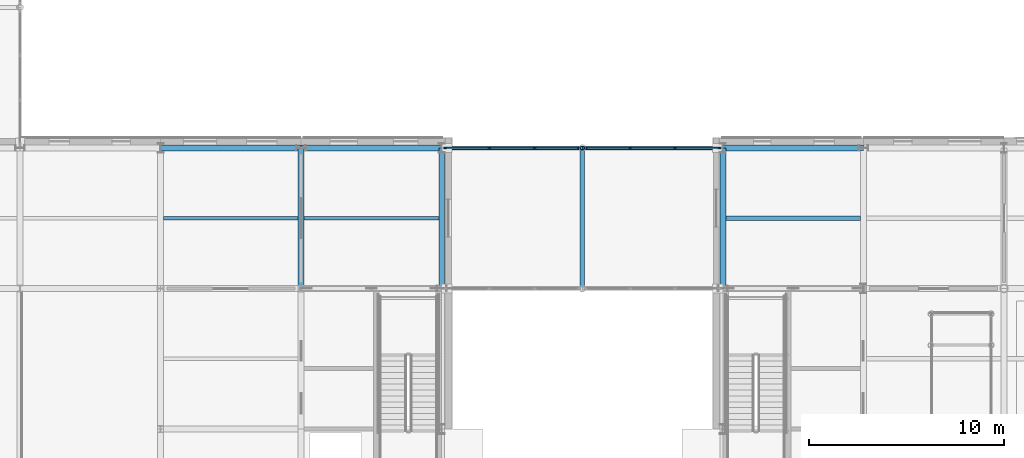
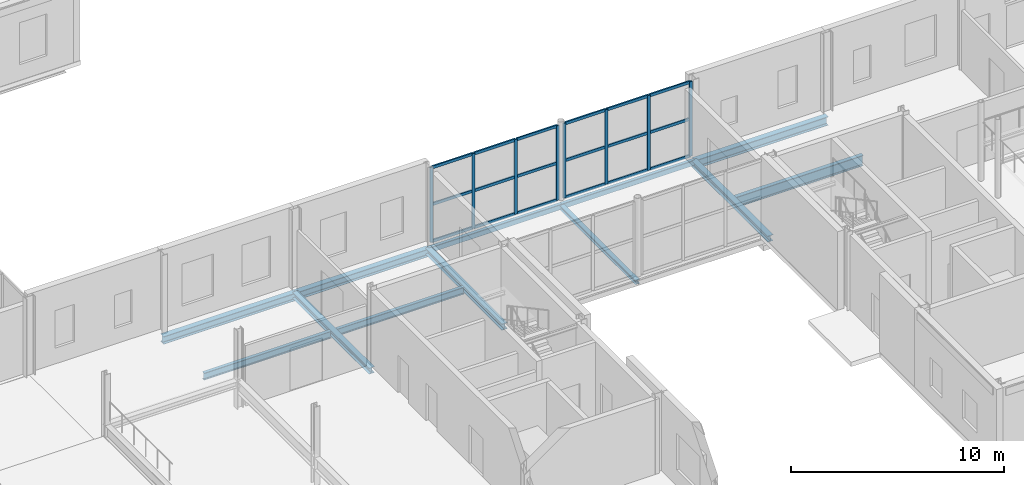
# One storey, part 25 of 92: 26 members, 12 beams, 2 elements without a shape of their own.
"""IFC4 building model written with IfcOpenShell, lengths in metres."""

from ifc_helpers import new_model, si_unit, direction, frame, origin, origin_2d, place, context, subcontext, project, spatial, rectangle, hollow_rectangle, i_section, extrude, material, material_profile, profile_set, type_object, element, aggregate, save


model = new_model("IFC4")

# Units and contexts
model_context = context("Model", 3, precision=1e-05, world=origin(), true_north=direction((0.0, 1.0)))
body_context = subcontext(model_context, "Body", "Model", "MODEL_VIEW")
ifc_project = project(units=[si_unit("LENGTHUNIT", "METRE"), si_unit("AREAUNIT", "SQUARE_METRE"), si_unit("VOLUMEUNIT", "CUBIC_METRE"), si_unit("PLANEANGLEUNIT", "RADIAN"), si_unit("MASSUNIT", "GRAM", prefix="KILO")], contexts=[model_context])

# Site, building, storey
site_placement = place(None, origin())
site = spatial("IfcSite", under=ifc_project, at=site_placement, CompositionType="ELEMENT")
building_placement = place(site_placement, origin())
building = spatial("IfcBuilding", under=site, at=building_placement, Name="Zlatovets Crest Museum", CompositionType="ELEMENT")
storey_placement = place(building_placement, origin())
storey = spatial("IfcBuildingStorey", under=building, at=storey_placement, Name="L00", CompositionType="ELEMENT", Elevation=0.0)

# Beams
ifc_material_1 = material(Name="Structural steel S355J2", Category="steel")
ifc_material_profile_1 = material_profile(ifc_material_1, i_section(OverallWidth=0.300048828125, OverallDepth=0.489990234375, WebThickness=0.011962890625, FlangeThickness=0.02294921875, FilletRadius=0.027099609375, at=origin_2d()), Name="HEA 500")
ifc_profile_set_1 = profile_set([ifc_material_profile_1], Name="Structural steel S355J2")
beam_type_1 = type_object("IfcBeamType", Name="Beam_B-01", PredefinedType="BEAM", material=ifc_profile_set_1)
beam_1_placement = place(storey_placement, frame((57.60009765625, 28.800048828125, -0.4951171875), z_axis=(1.0, 0.0, 0.0), x_axis=(0.0, 1.0, 0.0)))
element("IfcBeam", 1, at=beam_1_placement, inside=storey, type_object=beam_type_1, Name="V2 L00 Primary Girder B-01", PredefinedType="BEAM", context=body_context, shape_type="SweptSolid", body=[
    extrude(i_section(OverallWidth=0.300048828125, OverallDepth=0.489990234375, WebThickness=0.011962890625, FlangeThickness=0.02294921875, FilletRadius=0.027099609375, at=origin_2d()), origin(), (0.0, 0.0, 1.0), 7.199951171875),
])
ifc_material_profile_2 = material_profile(ifc_material_1, i_section(OverallWidth=0.300048828125, OverallDepth=0.35009765625, WebThickness=0.010009765625, FlangeThickness=0.017578125, FilletRadius=0.027099609375, at=origin_2d()), Name="HEA 360")
ifc_profile_set_2 = profile_set([ifc_material_profile_2], Name="Structural steel S355J2")
beam_type_2 = type_object("IfcBeamType", Name="Beam_B-03", PredefinedType="BEAM", material=ifc_profile_set_2)
for number, where, z_axis, x_axis, name in (
    (2, (57.60009765625, 21.60009765625, -0.425048828125), (0.0, 1.0, 0.0), (-1.0, 0.0, 0.0), "V2 L00 Grid Beam B-03"),
    (3, (36.0, 21.60009765625, -0.425048828125), (0.0, 1.0, 0.0), (-1.0, 0.0, 0.0), "V3 L00 Grid Beam B-03"),
    (4, (43.199951171875, 21.60009765625, -0.425048828125), (0.0, 1.0, 0.0), (-1.0, 0.0, 0.0), "V3 L00 Grid Beam B-03"),
):
    element("IfcBeam", number, at=place(storey_placement, frame(where, z_axis=z_axis, x_axis=x_axis)), inside=storey, type_object=beam_type_2, Name=name, PredefinedType="BEAM", context=body_context, shape_type="SweptSolid", body=[
        extrude(i_section(OverallWidth=0.300048828125, OverallDepth=0.35009765625, WebThickness=0.010009765625, FlangeThickness=0.017578125, FilletRadius=0.027099609375, at=origin_2d()), origin(), (0.0, 0.0, 1.0), 7.199951171875),
    ])
ifc_material_profile_3 = material_profile(ifc_material_1, i_section(OverallWidth=0.239990234375, OverallDepth=0.22998046875, WebThickness=0.007568359375, FlangeThickness=0.011962890625, FilletRadius=0.02099609375, at=origin_2d()), Name="HEA 240")
ifc_profile_set_3 = profile_set([ifc_material_profile_3], Name="Structural steel S355J2")
beam_type_3 = type_object("IfcBeamType", Name="Beam_B-06", PredefinedType="BEAM", material=ifc_profile_set_3)
beam_2_placement = place(storey_placement, frame((50.39990234375, 21.60009765625, -0.39990234375), z_axis=(0.0, 1.0, 0.0), x_axis=(-1.0, 0.0, 0.0)))
element("IfcBeam", 5, at=beam_2_placement, inside=storey, type_object=beam_type_3, Name="South Forecourt Glazed Link Bridge L00 Cross Beam", PredefinedType="BEAM", context=body_context, shape_type="SweptSolid", body=[
    extrude(i_section(OverallWidth=0.239990234375, OverallDepth=0.22998046875, WebThickness=0.007568359375, FlangeThickness=0.011962890625, FilletRadius=0.02099609375, at=origin_2d()), origin(), (0.0, 0.0, 1.0), 7.199951171875),
])
ifc_material_profile_4 = material_profile(ifc_material_1, i_section(OverallWidth=0.300048828125, OverallDepth=0.43994140625, WebThickness=0.011474609375, FlangeThickness=0.02099609375, FilletRadius=0.027099609375, at=origin_2d()), Name="HEA 450")
ifc_profile_set_4 = profile_set([ifc_material_profile_4], Name="Structural steel S355J2")
beam_type_4 = type_object("IfcBeamType", Name="Beam_B-10", PredefinedType="BEAM", material=ifc_profile_set_4)
for number, where, z_axis, x_axis, name in (
    (6, (28.800048828125, 28.800048828125, -0.469970703125), (1.0, 0.0, 0.0), (0.0, 1.0, 0.0), "V3 L00 Primary Girder B-10"),
    (7, (36.0, 28.800048828125, -0.469970703125), (1.0, 0.0, 0.0), (0.0, 1.0, 0.0), "V3 L00 Primary Girder B-10"),
):
    element("IfcBeam", number, at=place(storey_placement, frame(where, z_axis=z_axis, x_axis=x_axis)), inside=storey, type_object=beam_type_4, Name=name, PredefinedType="BEAM", context=body_context, shape_type="SweptSolid", body=[
        extrude(i_section(OverallWidth=0.300048828125, OverallDepth=0.43994140625, WebThickness=0.011474609375, FlangeThickness=0.02099609375, FilletRadius=0.027099609375, at=origin_2d()), origin(), (0.0, 0.0, 1.0), 7.199951171875),
    ])
ifc_material_profile_5 = material_profile(ifc_material_1, hollow_rectangle(XDim=0.199951171875, YDim=0.300048828125, WallThickness=0.012451171875, InnerFilletRadius=0.012451171875, OuterFilletRadius=0.02490234375, at=origin_2d()), Name="RHS 200x300x12.5")
ifc_profile_set_5 = profile_set([ifc_material_profile_5], Name="Structural steel S355J2")
beam_type_5 = type_object("IfcBeamType", Name="Beam_BRG-01", PredefinedType="BEAM", material=ifc_profile_set_5)
beam_3_placement = place(storey_placement, frame((43.199951171875, 28.800048828125, -0.39990234375), z_axis=(1.0, 0.0, 0.0), x_axis=(0.0, 1.0, 0.0)))
element("IfcBeam", 8, at=beam_3_placement, inside=storey, type_object=beam_type_5, Name="South Forecourt Glazed Link Bridge L00 Stringer Beam", PredefinedType="BEAM", context=body_context, shape_type="SweptSolid", body=[
    extrude(hollow_rectangle(XDim=0.199951171875, YDim=0.300048828125, WallThickness=0.012451171875, InnerFilletRadius=0.012451171875, OuterFilletRadius=0.02490234375, at=origin_2d()), origin(), (0.0, 0.0, 1.0), 7.199951171875),
])
beam_4_placement = place(storey_placement, frame((50.39990234375, 28.800048828125, -0.39990234375), z_axis=(1.0, 0.0, 0.0), x_axis=(0.0, 1.0, 0.0)))
element("IfcBeam", 9, at=beam_4_placement, inside=storey, type_object=beam_type_5, Name="South Forecourt Glazed Link Bridge L00 Stringer Beam", PredefinedType="BEAM", context=body_context, shape_type="SweptSolid", body=[
    extrude(hollow_rectangle(XDim=0.199951171875, YDim=0.300048828125, WallThickness=0.012451171875, InnerFilletRadius=0.012451171875, OuterFilletRadius=0.02490234375, at=origin_2d()), origin(), (0.0, 0.0, 1.0), 7.2001953125),
])
ifc_material_profile_6 = material_profile(ifc_material_1, i_section(OverallWidth=0.179931640625, OverallDepth=0.39990234375, WebThickness=0.008544921875, FlangeThickness=0.013427734375, FilletRadius=0.02099609375, at=origin_2d()), Name="IPE 400")
ifc_profile_set_6 = profile_set([ifc_material_profile_6], Name="Structural steel S355J2")
beam_type_6 = type_object("IfcBeamType", Name="Beam_J-04", PredefinedType="JOIST", material=ifc_profile_set_6)
for number, where, z_axis, x_axis, name in (
    (10, (28.949951171875, 25.199951171875, -0.449951171875), (1.0, 0.0, 0.0), (0.0, 1.0, 0.0), "V3 L00 Composite Joist J-04"),
    (11, (36.14990234375, 25.199951171875, -0.449951171875), (1.0, 0.0, 0.0), (0.0, 1.0, 0.0), "V3 L00 Composite Joist J-04"),
):
    element("IfcBeam", number, at=place(storey_placement, frame(where, z_axis=z_axis, x_axis=x_axis)), inside=storey, type_object=beam_type_6, Name=name, PredefinedType="JOIST", context=body_context, shape_type="SweptSolid", body=[
        extrude(i_section(OverallWidth=0.179931640625, OverallDepth=0.39990234375, WebThickness=0.008544921875, FlangeThickness=0.013427734375, FilletRadius=0.02099609375, at=origin_2d()), origin(), (0.0, 0.0, 1.0), 6.900146484375),
    ])
ifc_material_profile_7 = material_profile(ifc_material_1, i_section(OverallWidth=0.219970703125, OverallDepth=0.60009765625, WebThickness=0.011962890625, FlangeThickness=0.01904296875, FilletRadius=0.02392578125, at=origin_2d()), Name="IPE 600")
ifc_profile_set_7 = profile_set([ifc_material_profile_7], Name="Structural steel S355J2")
beam_type_7 = type_object("IfcBeamType", Name="Beam_J-08", PredefinedType="BEAM", material=ifc_profile_set_7)
beam_5_placement = place(storey_placement, frame((57.75, 25.199951171875, -0.550048828125), z_axis=(1.0, 0.0, 0.0), x_axis=(0.0, 1.0, 0.0)))
element("IfcBeam", 12, at=beam_5_placement, inside=storey, type_object=beam_type_7, Name="V2 L00 Composite Joist J-08", PredefinedType="BEAM", context=body_context, shape_type="SweptSolid", body=[
    extrude(i_section(OverallWidth=0.219970703125, OverallDepth=0.60009765625, WebThickness=0.011962890625, FlangeThickness=0.01904296875, FilletRadius=0.02392578125, at=origin_2d()), origin(), (0.0, 0.0, 1.0), 6.89990234375),
])

# Curtain wall, members
ifc_material_2 = material(Name="Bronze-anodised aluminium and low-E triple glass", Category="aluminium")
curtain_wall_type = type_object("IfcCurtainWallType", Name="CW_CW-BR1-L00-S69", PredefinedType="NOTDEFINED", material=ifc_material_2)
curtain_wall_1_placement = place(storey_placement, origin())
curtain_wall_1 = element("IfcCurtainWall", 13, at=curtain_wall_1_placement, inside=storey, type_object=curtain_wall_type, Name="South Forecourt Glazed Link Bridge L00 Glazed Bridge Curtain Wall", PredefinedType="NOTDEFINED")
ifc_material_3 = material(Name="Bronze-anodised aluminium EN AW-6060", Category="aluminium")
ifc_material_profile_8 = material_profile(ifc_material_3, rectangle(XDim=0.080078125, YDim=0.159912109375, at=origin_2d()), Name="ALU 80x160")
ifc_profile_set_8 = profile_set([ifc_material_profile_8], Name="Bronze-anodised aluminium EN AW-6060")
member_type_1 = type_object("IfcMemberType", Name="CWMull_M1", PredefinedType="MULLION", material=ifc_profile_set_8)
member_1_placement = place(storey_placement, frame((43.3798828125, 28.800048828125, 0.0), z_axis=(0.0, 0.0, 1.0), x_axis=(0.0, 1.0, 0.0)))
member_1 = element("IfcMember", 14, at=member_1_placement, type_object=member_type_1, Name="CW-BR1-L00-S69 mullion 1", PredefinedType="MULLION", context=body_context, shape_type="SweptSolid", body=[
    extrude(rectangle(XDim=0.080078125, YDim=0.159912109375, at=origin_2d()), origin(), (0.0, 0.0, 1.0), 4.280029296875),
])
member_2_placement = place(storey_placement, frame((45.64990234375, 28.800048828125, 0.0), z_axis=(0.0, 0.0, 1.0), x_axis=(0.0, 1.0, 0.0)))
member_2 = element("IfcMember", 15, at=member_2_placement, type_object=member_type_1, Name="CW-BR1-L00-S69 mullion 2", PredefinedType="MULLION", context=body_context, shape_type="SweptSolid", body=[
    extrude(rectangle(XDim=0.080078125, YDim=0.159912109375, at=origin_2d()), origin(), (0.0, 0.0, 1.0), 4.280029296875),
])
member_3_placement = place(storey_placement, frame((47.949951171875, 28.800048828125, 0.0), z_axis=(0.0, 0.0, 1.0), x_axis=(0.0, 1.0, 0.0)))
member_3 = element("IfcMember", 16, at=member_3_placement, type_object=member_type_1, Name="CW-BR1-L00-S69 mullion 3", PredefinedType="MULLION", context=body_context, shape_type="SweptSolid", body=[
    extrude(rectangle(XDim=0.080078125, YDim=0.159912109375, at=origin_2d()), origin(), (0.0, 0.0, 1.0), 4.280029296875),
])
member_4_placement = place(storey_placement, frame((50.219970703125, 28.800048828125, 0.0), z_axis=(0.0, 0.0, 1.0), x_axis=(0.0, 1.0, 0.0)))
member_4 = element("IfcMember", 17, at=member_4_placement, type_object=member_type_1, Name="CW-BR1-L00-S69 mullion 4", PredefinedType="MULLION", context=body_context, shape_type="SweptSolid", body=[
    extrude(rectangle(XDim=0.080078125, YDim=0.159912109375, at=origin_2d()), origin(), (0.0, 0.0, 1.0), 4.280029296875),
])

curtain_wall_2_placement = place(storey_placement, origin())
curtain_wall_2 = element("IfcCurtainWall", 18, at=curtain_wall_2_placement, inside=storey, type_object=curtain_wall_type, Name="South Forecourt Glazed Link Bridge L00 Glazed Bridge Curtain Wall", PredefinedType="NOTDEFINED")
member_5_placement = place(storey_placement, frame((50.580078125, 28.800048828125, 0.0), z_axis=(0.0, 0.0, 1.0), x_axis=(0.0, 1.0, 0.0)))
member_5 = element("IfcMember", 19, at=member_5_placement, type_object=member_type_1, Name="CW-BR1-L00-S69 mullion 1", PredefinedType="MULLION", context=body_context, shape_type="SweptSolid", body=[
    extrude(rectangle(XDim=0.080078125, YDim=0.159912109375, at=origin_2d()), origin(), (0.0, 0.0, 1.0), 4.280029296875),
])
member_6_placement = place(storey_placement, frame((52.85009765625, 28.800048828125, 0.0), z_axis=(0.0, 0.0, 1.0), x_axis=(0.0, 1.0, 0.0)))
member_6 = element("IfcMember", 20, at=member_6_placement, type_object=member_type_1, Name="CW-BR1-L00-S69 mullion 2", PredefinedType="MULLION", context=body_context, shape_type="SweptSolid", body=[
    extrude(rectangle(XDim=0.080078125, YDim=0.159912109375, at=origin_2d()), origin(), (0.0, 0.0, 1.0), 4.280029296875),
])
member_7_placement = place(storey_placement, frame((55.14990234375, 28.800048828125, 0.0), z_axis=(0.0, 0.0, 1.0), x_axis=(0.0, 1.0, 0.0)))
member_7 = element("IfcMember", 21, at=member_7_placement, type_object=member_type_1, Name="CW-BR1-L00-S69 mullion 3", PredefinedType="MULLION", context=body_context, shape_type="SweptSolid", body=[
    extrude(rectangle(XDim=0.080078125, YDim=0.159912109375, at=origin_2d()), origin(), (0.0, 0.0, 1.0), 4.280029296875),
])
member_8_placement = place(storey_placement, frame((57.419921875, 28.800048828125, 0.0), z_axis=(0.0, 0.0, 1.0), x_axis=(0.0, 1.0, 0.0)))
member_8 = element("IfcMember", 22, at=member_8_placement, type_object=member_type_1, Name="CW-BR1-L00-S69 mullion 4", PredefinedType="MULLION", context=body_context, shape_type="SweptSolid", body=[
    extrude(rectangle(XDim=0.080078125, YDim=0.159912109375, at=origin_2d()), origin(), (0.0, 0.0, 1.0), 4.280029296875),
])

# Member
ifc_material_profile_9 = material_profile(ifc_material_3, rectangle(XDim=0.080078125, YDim=0.159912109375, at=origin_2d()), Name="ALU 80x160")
ifc_profile_set_9 = profile_set([ifc_material_profile_9], Name="Bronze-anodised aluminium EN AW-6060")
member_type_2 = type_object("IfcMemberType", Name="CWTrans_T1", PredefinedType="USERDEFINED", material=ifc_profile_set_9)
member_9_placement = place(storey_placement, frame((43.409912109375, 28.800048828125, 0.030029296875), z_axis=(1.0, 0.0, 0.0), x_axis=(0.0, 1.0, 0.0)))
member_9 = element("IfcMember", 23, at=member_9_placement, type_object=member_type_2, Name="CW-BR1-L00-S69 transom 1.1", ObjectType="TRANSOM", PredefinedType="USERDEFINED", context=body_context, shape_type="SweptSolid", body=[
    extrude(rectangle(XDim=0.080078125, YDim=0.159912109375, at=origin_2d()), origin(), (0.0, 0.0, 1.0), 2.210205078125),
])

member_10_placement = place(storey_placement, frame((43.409912109375, 28.800048828125, 2.139892578125), z_axis=(1.0, 0.0, 0.0), x_axis=(0.0, 1.0, 0.0)))
member_10 = element("IfcMember", 24, at=member_10_placement, type_object=member_type_2, Name="CW-BR1-L00-S69 transom 1.2", ObjectType="TRANSOM", PredefinedType="USERDEFINED", context=body_context, shape_type="SweptSolid", body=[
    extrude(rectangle(XDim=0.080078125, YDim=0.159912109375, at=origin_2d()), origin(), (0.0, 0.0, 1.0), 2.210205078125),
])

member_11_placement = place(storey_placement, frame((43.409912109375, 28.800048828125, 4.25), z_axis=(1.0, 0.0, 0.0), x_axis=(0.0, 1.0, 0.0)))
member_11 = element("IfcMember", 25, at=member_11_placement, type_object=member_type_2, Name="CW-BR1-L00-S69 transom 1.3", ObjectType="TRANSOM", PredefinedType="USERDEFINED", context=body_context, shape_type="SweptSolid", body=[
    extrude(rectangle(XDim=0.080078125, YDim=0.159912109375, at=origin_2d()), origin(), (0.0, 0.0, 1.0), 2.210205078125),
])

member_12_placement = place(storey_placement, frame((45.679931640625, 28.800048828125, 0.030029296875), z_axis=(1.0, 0.0, 0.0), x_axis=(0.0, 1.0, 0.0)))
member_12 = element("IfcMember", 26, at=member_12_placement, type_object=member_type_2, Name="CW-BR1-L00-S69 transom 2.1", ObjectType="TRANSOM", PredefinedType="USERDEFINED", context=body_context, shape_type="SweptSolid", body=[
    extrude(rectangle(XDim=0.080078125, YDim=0.159912109375, at=origin_2d()), origin(), (0.0, 0.0, 1.0), 2.239990234375),
])

member_13_placement = place(storey_placement, frame((45.679931640625, 28.800048828125, 2.139892578125), z_axis=(1.0, 0.0, 0.0), x_axis=(0.0, 1.0, 0.0)))
member_13 = element("IfcMember", 27, at=member_13_placement, type_object=member_type_2, Name="CW-BR1-L00-S69 transom 2.2", ObjectType="TRANSOM", PredefinedType="USERDEFINED", context=body_context, shape_type="SweptSolid", body=[
    extrude(rectangle(XDim=0.080078125, YDim=0.159912109375, at=origin_2d()), origin(), (0.0, 0.0, 1.0), 2.239990234375),
])

member_14_placement = place(storey_placement, frame((45.679931640625, 28.800048828125, 4.25), z_axis=(1.0, 0.0, 0.0), x_axis=(0.0, 1.0, 0.0)))
member_14 = element("IfcMember", 28, at=member_14_placement, type_object=member_type_2, Name="CW-BR1-L00-S69 transom 2.3", ObjectType="TRANSOM", PredefinedType="USERDEFINED", context=body_context, shape_type="SweptSolid", body=[
    extrude(rectangle(XDim=0.080078125, YDim=0.159912109375, at=origin_2d()), origin(), (0.0, 0.0, 1.0), 2.239990234375),
])

member_15_placement = place(storey_placement, frame((47.97998046875, 28.800048828125, 0.030029296875), z_axis=(1.0, 0.0, 0.0), x_axis=(0.0, 1.0, 0.0)))
member_15 = element("IfcMember", 29, at=member_15_placement, type_object=member_type_2, Name="CW-BR1-L00-S69 transom 3.1", ObjectType="TRANSOM", PredefinedType="USERDEFINED", context=body_context, shape_type="SweptSolid", body=[
    extrude(rectangle(XDim=0.080078125, YDim=0.159912109375, at=origin_2d()), origin(), (0.0, 0.0, 1.0), 2.2099609375),
])

member_16_placement = place(storey_placement, frame((47.97998046875, 28.800048828125, 2.139892578125), z_axis=(1.0, 0.0, 0.0), x_axis=(0.0, 1.0, 0.0)))
member_16 = element("IfcMember", 30, at=member_16_placement, type_object=member_type_2, Name="CW-BR1-L00-S69 transom 3.2", ObjectType="TRANSOM", PredefinedType="USERDEFINED", context=body_context, shape_type="SweptSolid", body=[
    extrude(rectangle(XDim=0.080078125, YDim=0.159912109375, at=origin_2d()), origin(), (0.0, 0.0, 1.0), 2.2099609375),
])

member_17_placement = place(storey_placement, frame((47.97998046875, 28.800048828125, 4.25), z_axis=(1.0, 0.0, 0.0), x_axis=(0.0, 1.0, 0.0)))
member_17 = element("IfcMember", 31, at=member_17_placement, type_object=member_type_2, Name="CW-BR1-L00-S69 transom 3.3", ObjectType="TRANSOM", PredefinedType="USERDEFINED", context=body_context, shape_type="SweptSolid", body=[
    extrude(rectangle(XDim=0.080078125, YDim=0.159912109375, at=origin_2d()), origin(), (0.0, 0.0, 1.0), 2.2099609375),
])

aggregate(curtain_wall_1, [member_1, member_2, member_3, member_4, member_9, member_10, member_11, member_12, member_13, member_14, member_15, member_16, member_17])

member_18_placement = place(storey_placement, frame((50.610107421875, 28.800048828125, 0.030029296875), z_axis=(1.0, 0.0, 0.0), x_axis=(0.0, 1.0, 0.0)))
member_18 = element("IfcMember", 32, at=member_18_placement, type_object=member_type_2, Name="CW-BR1-L00-S69 transom 1.1", ObjectType="TRANSOM", PredefinedType="USERDEFINED", context=body_context, shape_type="SweptSolid", body=[
    extrude(rectangle(XDim=0.080078125, YDim=0.159912109375, at=origin_2d()), origin(), (0.0, 0.0, 1.0), 2.2099609375),
])

member_19_placement = place(storey_placement, frame((50.610107421875, 28.800048828125, 2.139892578125), z_axis=(1.0, 0.0, 0.0), x_axis=(0.0, 1.0, 0.0)))
member_19 = element("IfcMember", 33, at=member_19_placement, type_object=member_type_2, Name="CW-BR1-L00-S69 transom 1.2", ObjectType="TRANSOM", PredefinedType="USERDEFINED", context=body_context, shape_type="SweptSolid", body=[
    extrude(rectangle(XDim=0.080078125, YDim=0.159912109375, at=origin_2d()), origin(), (0.0, 0.0, 1.0), 2.2099609375),
])

member_20_placement = place(storey_placement, frame((50.610107421875, 28.800048828125, 4.25), z_axis=(1.0, 0.0, 0.0), x_axis=(0.0, 1.0, 0.0)))
member_20 = element("IfcMember", 34, at=member_20_placement, type_object=member_type_2, Name="CW-BR1-L00-S69 transom 1.3", ObjectType="TRANSOM", PredefinedType="USERDEFINED", context=body_context, shape_type="SweptSolid", body=[
    extrude(rectangle(XDim=0.080078125, YDim=0.159912109375, at=origin_2d()), origin(), (0.0, 0.0, 1.0), 2.2099609375),
])

member_21_placement = place(storey_placement, frame((52.8798828125, 28.800048828125, 0.030029296875), z_axis=(1.0, 0.0, 0.0), x_axis=(0.0, 1.0, 0.0)))
member_21 = element("IfcMember", 35, at=member_21_placement, type_object=member_type_2, Name="CW-BR1-L00-S69 transom 2.1", ObjectType="TRANSOM", PredefinedType="USERDEFINED", context=body_context, shape_type="SweptSolid", body=[
    extrude(rectangle(XDim=0.080078125, YDim=0.159912109375, at=origin_2d()), origin(), (0.0, 0.0, 1.0), 2.240234375),
])

member_22_placement = place(storey_placement, frame((52.8798828125, 28.800048828125, 2.139892578125), z_axis=(1.0, 0.0, 0.0), x_axis=(0.0, 1.0, 0.0)))
member_22 = element("IfcMember", 36, at=member_22_placement, type_object=member_type_2, Name="CW-BR1-L00-S69 transom 2.2", ObjectType="TRANSOM", PredefinedType="USERDEFINED", context=body_context, shape_type="SweptSolid", body=[
    extrude(rectangle(XDim=0.080078125, YDim=0.159912109375, at=origin_2d()), origin(), (0.0, 0.0, 1.0), 2.240234375),
])

member_23_placement = place(storey_placement, frame((52.8798828125, 28.800048828125, 4.25), z_axis=(1.0, 0.0, 0.0), x_axis=(0.0, 1.0, 0.0)))
member_23 = element("IfcMember", 37, at=member_23_placement, type_object=member_type_2, Name="CW-BR1-L00-S69 transom 2.3", ObjectType="TRANSOM", PredefinedType="USERDEFINED", context=body_context, shape_type="SweptSolid", body=[
    extrude(rectangle(XDim=0.080078125, YDim=0.159912109375, at=origin_2d()), origin(), (0.0, 0.0, 1.0), 2.240234375),
])

member_24_placement = place(storey_placement, frame((55.179931640625, 28.800048828125, 0.030029296875), z_axis=(1.0, 0.0, 0.0), x_axis=(0.0, 1.0, 0.0)))
member_24 = element("IfcMember", 38, at=member_24_placement, type_object=member_type_2, Name="CW-BR1-L00-S69 transom 3.1", ObjectType="TRANSOM", PredefinedType="USERDEFINED", context=body_context, shape_type="SweptSolid", body=[
    extrude(rectangle(XDim=0.080078125, YDim=0.159912109375, at=origin_2d()), origin(), (0.0, 0.0, 1.0), 2.2099609375),
])

member_25_placement = place(storey_placement, frame((55.179931640625, 28.800048828125, 2.139892578125), z_axis=(1.0, 0.0, 0.0), x_axis=(0.0, 1.0, 0.0)))
member_25 = element("IfcMember", 39, at=member_25_placement, type_object=member_type_2, Name="CW-BR1-L00-S69 transom 3.2", ObjectType="TRANSOM", PredefinedType="USERDEFINED", context=body_context, shape_type="SweptSolid", body=[
    extrude(rectangle(XDim=0.080078125, YDim=0.159912109375, at=origin_2d()), origin(), (0.0, 0.0, 1.0), 2.2099609375),
])

member_26_placement = place(storey_placement, frame((55.179931640625, 28.800048828125, 4.25), z_axis=(1.0, 0.0, 0.0), x_axis=(0.0, 1.0, 0.0)))
member_26 = element("IfcMember", 40, at=member_26_placement, type_object=member_type_2, Name="CW-BR1-L00-S69 transom 3.3", ObjectType="TRANSOM", PredefinedType="USERDEFINED", context=body_context, shape_type="SweptSolid", body=[
    extrude(rectangle(XDim=0.080078125, YDim=0.159912109375, at=origin_2d()), origin(), (0.0, 0.0, 1.0), 2.2099609375),
])

aggregate(curtain_wall_2, [member_5, member_6, member_7, member_8, member_18, member_19, member_20, member_21, member_22, member_23, member_24, member_25, member_26])

save(model, "model.ifc")
